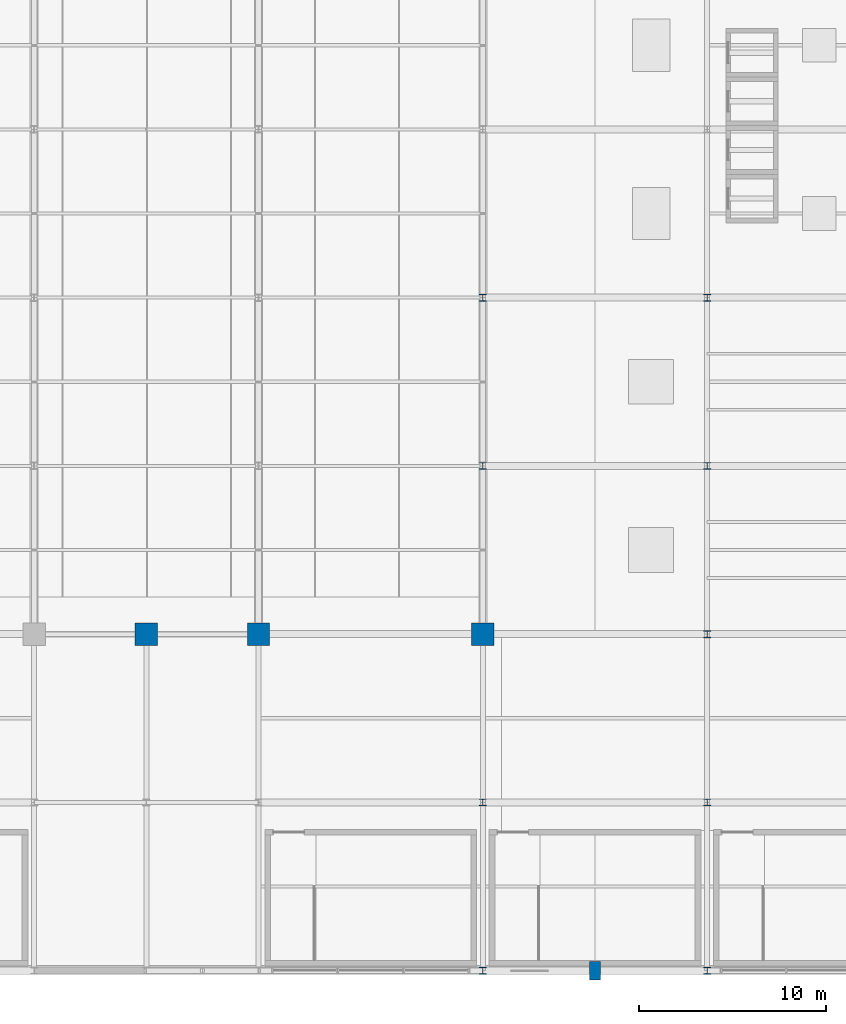
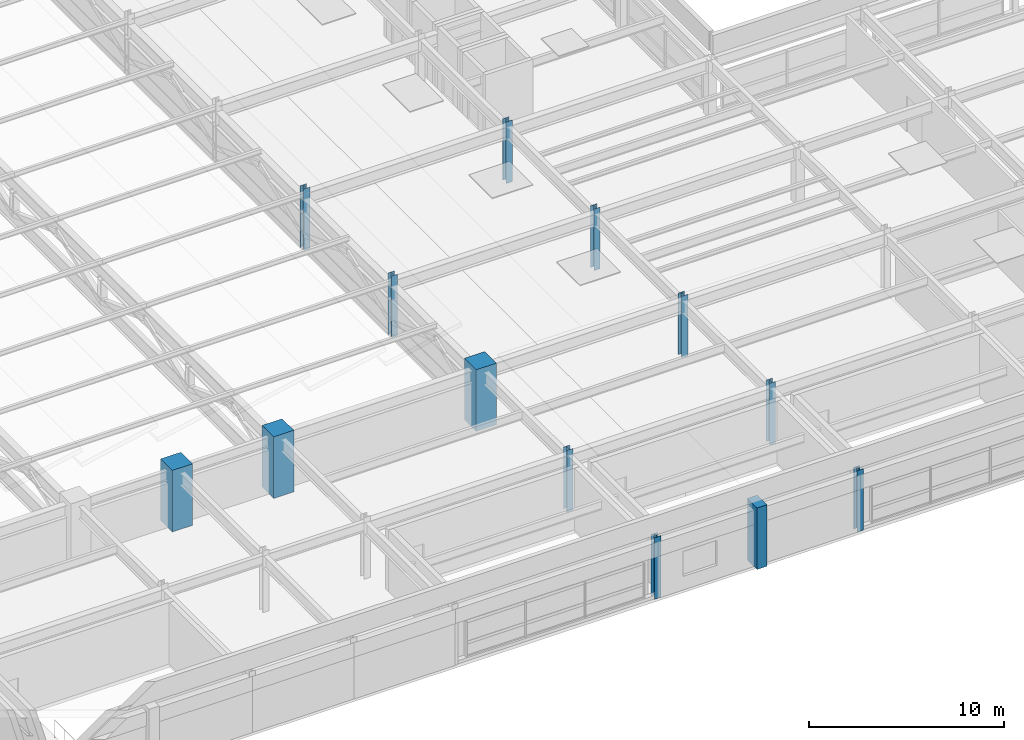
# One storey, part 5 of 108: 13 columns.
"""IFC4 building model written with IfcOpenShell, lengths in metres."""

import ifcopenshell
import ifcopenshell.guid

model = None  # the IFC model being written
_history = None  # IfcOwnerHistory: only IFC2X3 demands one
_inside = {}  # id of a spatial element -> (the spatial element, [elements in it])
_under = {}  # id of a project, library or spatial element -> (it, [spatial elements below it])
_declared = {}  # id of a project -> (the project, [libraries it declares])
_typed = {}  # id of a type object -> (the type object, [elements of that type])
_made_of = {}  # id of a material, layer set ... -> (it, [elements and type objects made of it])


def new_model(schema):
    """Start an empty IFC model of exactly this schema.

    Asked for "IFC4X3", IfcOpenShell would pick the latest addendum, in which some entities
    have other attributes; the version numbers below select the first issue.
    IFC2X3 requires an IfcOwnerHistory on every rooted entity: one is made here for all.
    """
    global model, _history
    if schema == "IFC4X3":
        model = ifcopenshell.file(schema_version=(4, 3, 0, 0))
    else:
        model = ifcopenshell.file(schema=schema)
    _inside.clear()
    _under.clear()
    _declared.clear()
    _typed.clear()
    _made_of.clear()
    _history = None
    if model.schema == "IFC2X3":
        org = make("IfcOrganization", Name="unknown")
        user = make(
            "IfcPersonAndOrganization",
            ThePerson=make("IfcPerson", FamilyName="unknown"),
            TheOrganization=org,
        )
        app = make(
            "IfcApplication",
            ApplicationDeveloper=org,
            Version="unknown",
            ApplicationFullName="unknown",
            ApplicationIdentifier="unknown",
        )
        _history = make(
            "IfcOwnerHistory",
            OwningUser=user,
            OwningApplication=app,
            ChangeAction="ADDED",
            CreationDate=0,
        )
    return model


def make(cls, **values):
    """One entity of the class cls with the attributes given. An attribute that is None is left unset."""
    return model.create_entity(
        cls, **{name: value for name, value in values.items() if value is not None}
    )


def rooted(cls, **values):
    """An entity with a GlobalId (a new one), such as an element, a storey or a relation."""
    return make(cls, GlobalId=ifcopenshell.guid.new(), OwnerHistory=_history, **values)


def si_unit(unit_type, name, prefix=None):
    """IfcSIUnit, for example si_unit("LENGTHUNIT", "METRE", prefix="MILLI")."""
    return make("IfcSIUnit", UnitType=unit_type, Prefix=prefix, Name=name)


def assignment(units):
    """IfcUnitAssignment: the units of a project."""
    return None if units is None else make("IfcUnitAssignment", Units=units)


def point(xyz):
    """IfcCartesianPoint."""
    return None if xyz is None else make("IfcCartesianPoint", Coordinates=xyz)


def direction(xyz):
    """IfcDirection."""
    return None if xyz is None else make("IfcDirection", DirectionRatios=xyz)


def frame(location, z_axis=None, x_axis=None):
    """IfcAxis2Placement3D, a coordinate frame: its origin and axes. An axis left out is left unset."""
    return make(
        "IfcAxis2Placement3D",
        Location=point(location),
        Axis=direction(z_axis),
        RefDirection=direction(x_axis),
    )


def frame_2d(location, x_axis=None):
    """IfcAxis2Placement2D, a coordinate frame in the plane: its origin and x axis."""
    return make(
        "IfcAxis2Placement2D", Location=point(location), RefDirection=direction(x_axis)
    )


def origin():
    """The frame at (0, 0, 0) with its axes left unset."""
    return frame((0.0, 0.0, 0.0))


def origin_2d():
    """The frame at (0, 0) in the plane with its x axis left unset."""
    return frame_2d((0.0, 0.0))


def place(relative_to, where):
    """IfcLocalPlacement: puts the frame where relative to a parent placement (None: the world)."""
    return make(
        "IfcLocalPlacement", PlacementRelTo=relative_to, RelativePlacement=where
    )


def context(
    kind, dimensions, precision=None, world=None, true_north=None, identifier=None
):
    """IfcGeometricRepresentationContext, for example the 3D "Model" context."""
    return make(
        "IfcGeometricRepresentationContext",
        ContextIdentifier=identifier,
        ContextType=kind,
        CoordinateSpaceDimension=dimensions,
        Precision=precision,
        WorldCoordinateSystem=world,
        TrueNorth=true_north,
    )


def subcontext(parent, identifier, kind, view, scale=None):
    """IfcGeometricRepresentationSubContext, for example "Body" below "Model"."""
    return make(
        "IfcGeometricRepresentationSubContext",
        ContextIdentifier=identifier,
        ContextType=kind,
        ParentContext=parent,
        TargetScale=scale,
        TargetView=view,
    )


def project(units=None, contexts=None):
    """IfcProject with its units and contexts."""
    return rooted(
        "IfcProject",
        Name="project",
        RepresentationContexts=contexts,
        UnitsInContext=assignment(units),
    )


def spatial(cls, under=None, at=None, **own):
    """A site, building, storey or space (cls), placed at a placement, below another one or the project."""
    s = rooted(cls, ObjectPlacement=at, **own)
    if under is not None:
        _under.setdefault(under.id(), (under, []))[1].append(s)
    return s


def profile(cls, at=None, kind="AREA", **sizes):
    """A parametric profile (cls). Its sizes go by their IFC names, for example OverallWidth=200.0."""
    return make(cls, ProfileType=kind, Position=at, **sizes)


def rectangle(**sizes):
    """IfcRectangleProfileDef."""
    return profile("IfcRectangleProfileDef", **sizes)


def i_section(**sizes):
    """IfcIShapeProfileDef."""
    return profile("IfcIShapeProfileDef", **sizes)


def extrude(swept, where, along, depth):
    """IfcExtrudedAreaSolid: the profile swept, set in the frame where, extruded along a direction by depth."""
    return make(
        "IfcExtrudedAreaSolid",
        SweptArea=swept,
        Position=where,
        ExtrudedDirection=direction(along),
        Depth=depth,
    )


def shape(context_of_items, identifier, shape_type, items):
    """IfcShapeRepresentation: the items that make up one representation, for example the "Body"."""
    return make(
        "IfcShapeRepresentation",
        ContextOfItems=context_of_items,
        RepresentationIdentifier=identifier,
        RepresentationType=shape_type,
        Items=items,
    )


def material(Name=None, Category=None):
    """IfcMaterial."""
    return make("IfcMaterial", Name=Name, Category=Category)


def material_profile(
    of_material, cross_section, Name=None, Category=None, Priority=None
):
    """IfcMaterialProfile: a cross section and its material."""
    return make(
        "IfcMaterialProfile",
        Name=Name,
        Material=of_material,
        Profile=cross_section,
        Priority=Priority,
        Category=Category,
    )


def profile_set(profiles, Name=None, composite=None):
    """IfcMaterialProfileSet."""
    return make(
        "IfcMaterialProfileSet",
        Name=Name,
        MaterialProfiles=profiles,
        CompositeProfile=composite,
    )


def made_of(thing, what):
    """Note that an element or type object is made of a material, layer set ...; save() writes the relation."""
    if what is not None:
        _made_of.setdefault(what.id(), (what, []))[1].append(thing)
    return thing


def type_object(cls, material=None, **own):
    """A type object (cls), such as IfcWallType, which elements share."""
    return made_of(rooted(cls, **own), material)


def element(
    cls,
    number,
    at=None,
    inside=None,
    cuts=None,
    type_object=None,
    material=None,
    context=None,
    identifier="Body",
    shape_type=None,
    held_by="IfcProductDefinitionShape",
    body=None,
    shapes=None,
    **own,
):
    """One element of the class cls, such as IfcWall. Its Tag is "e" and its number.

    at: its placement. inside: the storey or other place that contains it. cuts: it is an
    opening in that element (IfcRelVoidsElement). A single representation is given by context,
    identifier, shape_type and body (its items); several are given by shapes. held_by: the class
    of the entity that holds the representations. save() writes the other relations.
    """
    e = rooted(cls, Tag="e%d" % number, ObjectPlacement=at, **own)
    if body is not None:
        shapes = [shape(context, identifier, shape_type, body)]
    if shapes is not None:
        e.Representation = make(held_by, Representations=shapes)
    if inside is not None:
        _inside.setdefault(inside.id(), (inside, []))[1].append(e)
    if cuts is not None:
        rooted(
            "IfcRelVoidsElement", RelatingBuildingElement=cuts, RelatedOpeningElement=e
        )
    if type_object is not None:
        _typed.setdefault(type_object.id(), (type_object, []))[1].append(e)
    return made_of(e, material)


def aggregate(whole, parts):
    """IfcRelAggregates: a whole, such as a stair, and the parts it consists of."""
    return rooted("IfcRelAggregates", RelatingObject=whole, RelatedObjects=parts)


def save(model, path):
    """Write the relations noted so far, then the file.

    IfcRelAggregates (storeys below a building ...), IfcRelContainedInSpatialStructure (elements
    in a storey), IfcRelDefinesByType, IfcRelAssociatesMaterial and IfcRelDeclares: one each for
    every whole, place, type object, material and project.
    """
    for whole, parts in _under.values():
        aggregate(whole, parts)
    for where, things in _inside.values():
        rooted(
            "IfcRelContainedInSpatialStructure",
            RelatedElements=things,
            RelatingStructure=where,
        )
    for kind, things in _typed.values():
        rooted("IfcRelDefinesByType", RelatedObjects=things, RelatingType=kind)
    for what, things in _made_of.values():
        rooted("IfcRelAssociatesMaterial", RelatedObjects=things, RelatingMaterial=what)
    for by, libraries in _declared.values():
        rooted("IfcRelDeclares", RelatingContext=by, RelatedDefinitions=libraries)
    model.write(path)


model = new_model("IFC4")

# Units and contexts
model_context = context("Model", 3, precision=1e-05, world=origin(), true_north=direction((0.0, 1.0)))
body_context = subcontext(model_context, "Body", "Model", "MODEL_VIEW")
ifc_project = project(units=[si_unit("LENGTHUNIT", "METRE"), si_unit("AREAUNIT", "SQUARE_METRE"), si_unit("VOLUMEUNIT", "CUBIC_METRE"), si_unit("PLANEANGLEUNIT", "RADIAN"), si_unit("MASSUNIT", "GRAM", prefix="KILO")], contexts=[model_context])

# Site, building, storey
site_placement = place(None, origin())
site = spatial("IfcSite", under=ifc_project, at=site_placement, CompositionType="ELEMENT")
building_placement = place(site_placement, origin())
building = spatial("IfcBuilding", under=site, at=building_placement, Name="Kaldorvane Square Convention Centre", CompositionType="ELEMENT")
storey_placement = place(building_placement, frame((0.0, 0.0, 23.399993896484375)))
storey = spatial("IfcBuildingStorey", under=building, at=storey_placement, Name="L04", CompositionType="ELEMENT", Elevation=23.399993896484375)

# Columns
ifc_material_1 = material(Name="Concrete f'c = 55 MPa (Normalweight)", Category="concrete")
ifc_material_profile_1 = material_profile(ifc_material_1, rectangle(XDim=1.1999969482421875, YDim=1.1999969482421875, at=origin_2d()), Name="RC1200X1200")
ifc_profile_set_1 = profile_set([ifc_material_profile_1], Name="Concrete f'c = 55 MPa (Normalweight)")
column_type_1 = type_object("IfcColumnType", Name="COL-MEGA-1200", PredefinedType="COLUMN", material=ifc_profile_set_1)
for number, where, z_axis, x_axis, name in (
    (1, (96.0, 18.0, 0.0), (0.0, 0.0, 1.0), (1.0, 0.0, 0.0), "Column MC-02 (L04)"),
    (2, (102.0, 18.0, 0.0), (0.0, 0.0, 1.0), (1.0, 0.0, 0.0), "Column MC-02 (L04)"),
    (3, (114.0, 18.0, 0.0), (0.0, 0.0, 1.0), (1.0, 0.0, 0.0), "Column MC-02 (L04)"),
):
    element("IfcColumn", number, at=place(storey_placement, frame(where, z_axis=z_axis, x_axis=x_axis)), inside=storey, type_object=column_type_1, Name=name, PredefinedType="COLUMN", context=body_context, shape_type="SweptSolid", body=[
        extrude(rectangle(XDim=1.1999969482421875, YDim=1.1999969482421875, at=origin_2d()), origin(), (0.0, 0.0, 1.0), 3.850006103515625),
    ])
ifc_material_2 = material(Name="Steel ASTM A992 Gr. 50", Category="steel")
ifc_material_profile_2 = material_profile(ifc_material_2, i_section(OverallWidth=0.3701019287109375, OverallDepth=0.360198974609375, WebThickness=0.012298583984375, FlangeThickness=0.019805908203125, FilletRadius=0.0305023193359375, at=origin_2d()), Name="W14X99")
ifc_profile_set_2 = profile_set([ifc_material_profile_2], Name="Steel ASTM A992 Gr. 50")
column_type_2 = type_object("IfcColumnType", Name="COL-STL-99", PredefinedType="COLUMN", material=ifc_profile_set_2)
for number, where, z_axis, x_axis, name in (
    (4, (114.0, 0.0, 0.0), (0.0, 0.0, 1.0), (1.0, 0.0, 0.0), "Column SC-12 (L04)"),
    (5, (114.0, 9.0, 0.0), (0.0, 0.0, 1.0), (1.0, 0.0, 0.0), "Column SC-12 (L04)"),
    (6, (114.0, 27.0, 0.0), (0.0, 0.0, 1.0), (1.0, 0.0, 0.0), "Column SC-12 (L04)"),
    (7, (114.0, 36.0, 0.0), (0.0, 0.0, 1.0), (1.0, 0.0, 0.0), "Column SC-12 (L04)"),
    (8, (126.0, 0.0, 0.0), (0.0, 0.0, 1.0), (1.0, 0.0, 0.0), "Column SC-12 (L04)"),
    (9, (126.0, 9.0, 0.0), (0.0, 0.0, 1.0), (1.0, 0.0, 0.0), "Column SC-12 (L04)"),
    (10, (126.0, 18.0, 0.0), (0.0, 0.0, 1.0), (1.0, 0.0, 0.0), "Column SC-12 (L04)"),
    (11, (126.0, 27.0, 0.0), (0.0, 0.0, 1.0), (1.0, 0.0, 0.0), "Column SC-12 (L04)"),
    (12, (126.0, 36.0, 0.0), (0.0, 0.0, 1.0), (1.0, 0.0, 0.0), "Column SC-12 (L04)"),
):
    element("IfcColumn", number, at=place(storey_placement, frame(where, z_axis=z_axis, x_axis=x_axis)), inside=storey, type_object=column_type_2, Name=name, PredefinedType="COLUMN", context=body_context, shape_type="SweptSolid", body=[
        extrude(i_section(OverallWidth=0.3701019287109375, OverallDepth=0.360198974609375, WebThickness=0.012298583984375, FlangeThickness=0.019805908203125, FilletRadius=0.0305023193359375, at=origin_2d()), origin(), (0.0, 0.0, 1.0), 3.850006103515625),
    ])
ifc_material_profile_3 = material_profile(ifc_material_1, rectangle(XDim=0.600006103515625, YDim=1.0, at=origin_2d()), Name="PIL1000X600")
ifc_profile_set_3 = profile_set([ifc_material_profile_3], Name="Concrete f'c = 55 MPa (Normalweight)")
column_type_3 = type_object("IfcColumnType", Name="PIL-BRUT-1000", PredefinedType="PILASTER", material=ifc_profile_set_3)
column_placement = place(storey_placement, frame((120.0, 0.0, 0.0), z_axis=(0.0, 0.0, 1.0), x_axis=(1.0, 0.0, 0.0)))
element("IfcColumn", 13, at=column_placement, inside=storey, type_object=column_type_3, Name="Brutalist Colonnade Pilaster (L04)", PredefinedType="PILASTER", context=body_context, shape_type="SweptSolid", body=[
    extrude(rectangle(XDim=0.600006103515625, YDim=1.0, at=origin_2d()), origin(), (0.0, 0.0, 1.0), 3.850006103515625),
])

save(model, "model.ifc")
